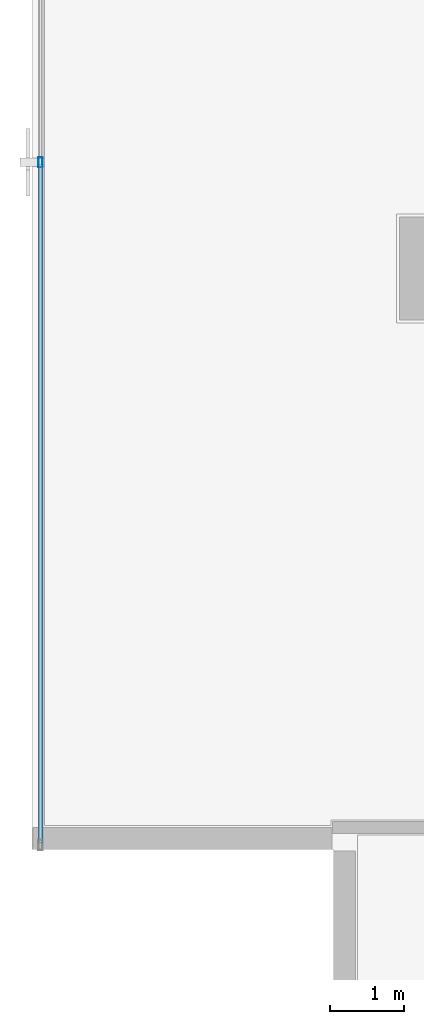
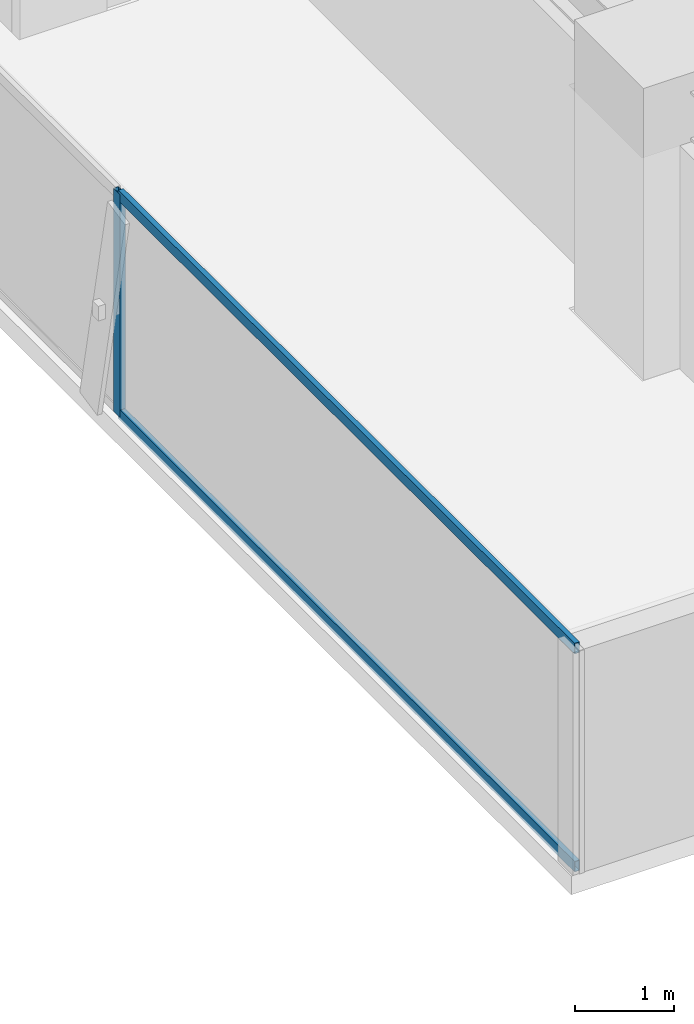
# One storey, part 4 of 26: 3 members, 1 element without a shape of its own.
"""IFC4 building model written with IfcOpenShell, lengths in metres."""

from ifc_helpers import new_model, si_unit, direction, frame, origin, origin_2d, place, context, subcontext, project, spatial, hollow_rectangle, extrude, source, transform, mapped, material, layer, layer_set, material_profile, profile_set, type_object, element, aggregate, save


model = new_model("IFC4")

# Units and contexts
model_context = context("Model", 3, precision=1e-05, world=origin(), true_north=direction((0.0, 1.0)))
body_context = subcontext(model_context, "Body", "Model", "MODEL_VIEW")
ifc_project = project(units=[si_unit("LENGTHUNIT", "METRE"), si_unit("AREAUNIT", "SQUARE_METRE"), si_unit("VOLUMEUNIT", "CUBIC_METRE"), si_unit("PLANEANGLEUNIT", "RADIAN"), si_unit("MASSUNIT", "GRAM", prefix="KILO")], contexts=[model_context])

# Site, building, storey
site_placement = place(None, origin())
site = spatial("IfcSite", under=ifc_project, at=site_placement, CompositionType="ELEMENT")
building_placement = place(site_placement, origin())
building = spatial("IfcBuilding", under=site, at=building_placement, Name="Sumidabori Civic Tower", CompositionType="ELEMENT")
storey_placement = place(building_placement, frame((0.0, 0.0, 261.199951171875)))
storey = spatial("IfcBuildingStorey", under=building, at=storey_placement, Name="L68", CompositionType="ELEMENT", Elevation=261.199951171875)

# Curtain wall, members
ifc_material = material(Name="Anodised Bronze Aluminium AW-6063-T6", Category="aluminium")
ifc_layer = layer(ifc_material, 0.179931640625, Name="Anodised Bronze Aluminium AW-6063-T6")
ifc_layer_set = layer_set([ifc_layer], Name="Anodised Bronze Aluminium AW-6063-T6")
curtain_wall_type = type_object("IfcCurtainWallType", Name="CW-SYS-5", PredefinedType="NOTDEFINED", material=ifc_layer_set)
curtain_wall_placement = place(storey_placement, origin())
curtain_wall = element("IfcCurtainWall", 1, at=curtain_wall_placement, inside=storey, type_object=curtain_wall_type, Name="Curtain Wall CW:L68:R10", PredefinedType="NOTDEFINED")
ifc_material_profile_1 = material_profile(ifc_material, hollow_rectangle(XDim=0.06005859375, YDim=0.139892578125, WallThickness=0.0048828125, at=origin_2d()), Name="ALU MULLION 140x60")
ifc_profile_set_1 = profile_set([ifc_material_profile_1], Name="Anodised Bronze Aluminium AW-6063-T6")
member_type_1 = type_object("IfcMemberType", Name="CW-MUL-140", PredefinedType="MULLION", material=ifc_profile_set_1)
shared_shape_1 = source(origin(), body_context, "Body", "SweptSolid", [
    extrude(hollow_rectangle(XDim=0.06005859375, YDim=0.139892578125, WallThickness=0.0048828125, at=origin_2d()), origin(), (0.0, 0.0, 1.0), 2.75),
])
member_1_placement = place(storey_placement, frame((-22.3798828125, 1.443359375, 0.0), z_axis=(0.0, 0.0, 1.0), x_axis=(1.0, 0.0, 0.0)))
member_1 = element("IfcMember", 2, at=member_1_placement, type_object=member_type_1, Name="CW-5 mullion 3", PredefinedType="MULLION", context=body_context, shape_type="MappedRepresentation", body=[
    mapped(shared_shape_1, transform((0.0, 0.0, 0.0), x_axis=(1.0, 0.0, 0.0), y_axis=(0.0, 1.0, 0.0), z_axis=(0.0, 0.0, 1.0), scale=1.0)),
])
ifc_material_profile_2 = material_profile(ifc_material, hollow_rectangle(XDim=0.06005859375, YDim=0.1298828125, WallThickness=0.0048828125, at=origin_2d()), Name="ALU TRANSOM 130x60")
ifc_profile_set_2 = profile_set([ifc_material_profile_2], Name="Anodised Bronze Aluminium AW-6063-T6")
member_type_2 = type_object("IfcMemberType", Name="CW-TRN-130", PredefinedType="USERDEFINED", material=ifc_profile_set_2)
shared_shape_2 = source(origin(), body_context, "Body", "SweptSolid", [
    extrude(hollow_rectangle(XDim=0.06005859375, YDim=0.1298828125, WallThickness=0.0048828125, at=origin_2d()), origin(), (0.0, 0.0, 1.0), 9.223388671875),
])
member_2_placement = place(storey_placement, frame((-22.3798828125, 1.413330078125, 0.030029296875), z_axis=(0.0, -1.0, 0.0), x_axis=(1.0, 0.0, 0.0)))
member_2 = element("IfcMember", 3, at=member_2_placement, type_object=member_type_2, Name="CW-5 transom 3.1", ObjectType="TRANSOM", PredefinedType="USERDEFINED", context=body_context, shape_type="MappedRepresentation", body=[
    mapped(shared_shape_2, transform((0.0, 0.0, 0.0), x_axis=(1.0, 0.0, 0.0), y_axis=(0.0, 1.0, 0.0), z_axis=(0.0, 0.0, 1.0), scale=1.0)),
])
member_3_placement = place(storey_placement, frame((-22.3798828125, 1.413330078125, 2.719970703125), z_axis=(0.0, -1.0, 0.0), x_axis=(1.0, 0.0, 0.0)))
member_3 = element("IfcMember", 4, at=member_3_placement, type_object=member_type_2, Name="CW-5 transom 3.2", ObjectType="TRANSOM", PredefinedType="USERDEFINED", context=body_context, shape_type="MappedRepresentation", body=[
    mapped(shared_shape_2, transform((0.0, 0.0, 0.0), x_axis=(1.0, 0.0, 0.0), y_axis=(0.0, 1.0, 0.0), z_axis=(0.0, 0.0, 1.0), scale=1.0)),
])
aggregate(curtain_wall, [member_1, member_2, member_3])

save(model, "model.ifc")
